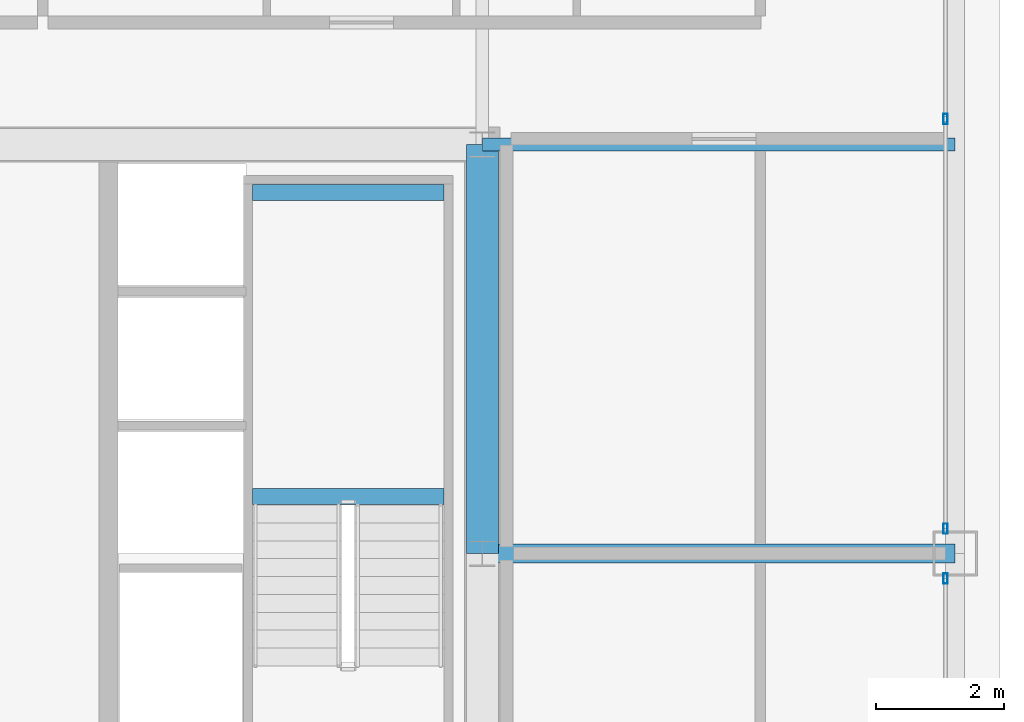
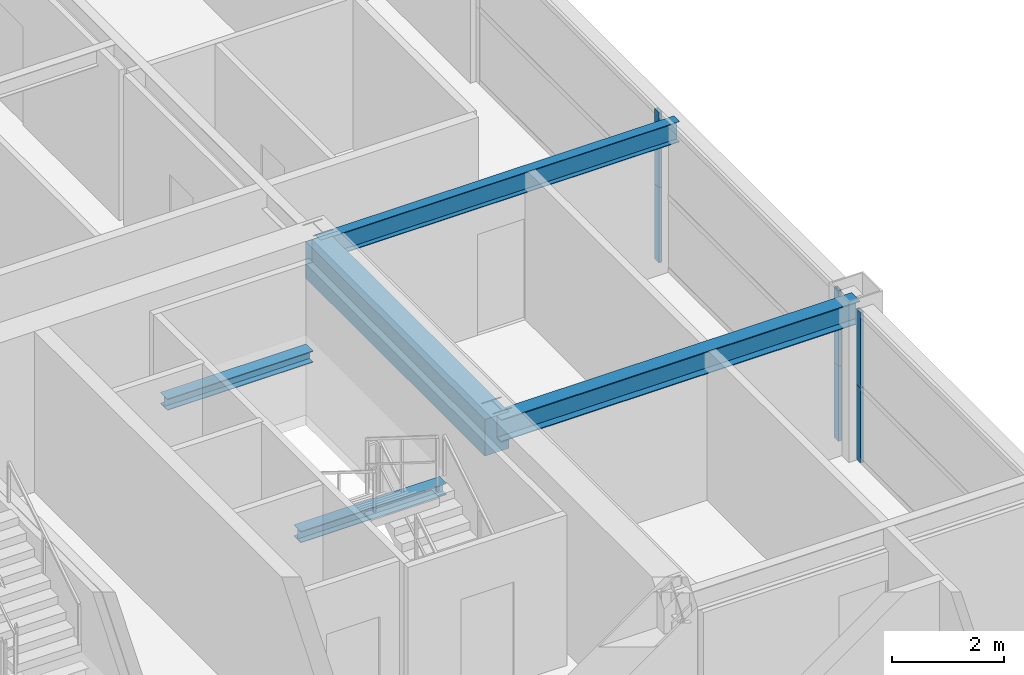
# One storey, part 20 of 37: 6 members, 5 beams, 2 elements without a shape of their own.
"""IFC4 building model written with IfcOpenShell, lengths in metres."""

from ifc_helpers import new_model, si_unit, direction, frame, origin, origin_2d, place, context, subcontext, project, spatial, rectangle, hollow_rectangle, i_section, extrude, source, transform, mapped, material, layer, layer_set, material_profile, profile_set, type_object, element, aggregate, save


model = new_model("IFC4")

# Units and contexts
model_context = context("Model", 3, precision=1e-05, world=origin(), true_north=direction((0.0, 1.0)))
body_context = subcontext(model_context, "Body", "Model", "MODEL_VIEW")
ifc_project = project(units=[si_unit("LENGTHUNIT", "METRE"), si_unit("AREAUNIT", "SQUARE_METRE"), si_unit("VOLUMEUNIT", "CUBIC_METRE"), si_unit("PLANEANGLEUNIT", "RADIAN"), si_unit("MASSUNIT", "GRAM", prefix="KILO"), si_unit("THERMODYNAMICTEMPERATUREUNIT", "KELVIN"), si_unit("POWERUNIT", "WATT")], contexts=[model_context])

# Site, building, storey
site_placement = place(None, origin())
site = spatial("IfcSite", under=ifc_project, at=site_placement, CompositionType="ELEMENT")
building_placement = place(site_placement, origin())
building = spatial("IfcBuilding", under=site, at=building_placement, Name="Yuzanri Waterfront Tower", CompositionType="ELEMENT")
storey_placement = place(building_placement, frame((0.0, 0.0, 245.10009765625)))
storey = spatial("IfcBuildingStorey", under=building, at=storey_placement, Name="L65", CompositionType="ELEMENT", Elevation=245.10009765625)

# Beams
ifc_material_1 = material(Name="Concrete C50", Category="concrete")
ifc_material_profile_1 = material_profile(ifc_material_1, rectangle(XDim=0.5, YDim=0.800048828125, at=origin_2d()), Name="RC 500x800")
ifc_profile_set_1 = profile_set([ifc_material_profile_1], Name="Concrete C50")
beam_type_1 = type_object("IfcBeamType", Name="Core Coupling Lintel Concrete C50 500x800", PredefinedType="LINTEL", material=ifc_profile_set_1)
shared_shape_1 = source(origin(), body_context, "Body", "SweptSolid", [
    extrude(rectangle(XDim=0.5, YDim=0.800048828125, at=origin_2d()), origin(), (0.0, 0.0, 1.0), 6.39990234375),
])
beam_1_placement = place(storey_placement, frame((50.199951171875, 25.800048828125, 2.8798828125), z_axis=(0.0, 1.0, 0.0), x_axis=(-1.0, 0.0, 0.0)))
element("IfcBeam", 1, at=beam_1_placement, inside=storey, type_object=beam_type_1, Name="L65 Core Tie Beam CE2", PredefinedType="LINTEL", context=body_context, shape_type="MappedRepresentation", body=[
    mapped(shared_shape_1, transform((0.0, 0.0, 0.0), scale=1.0)),
])
ifc_material_2 = material(Name="Steel Q355B", Category="steel")
ifc_material_profile_2 = material_profile(ifc_material_2, i_section(OverallWidth=0.300048828125, OverallDepth=0.488037109375, WebThickness=0.010986328125, FlangeThickness=0.01806640625, at=origin_2d()), Name="HM 488x300x11x18")
ifc_profile_set_2 = profile_set([ifc_material_profile_2], Name="Steel Q355B")
beam_type_2 = type_object("IfcBeamType", Name="Primary Floor Girder Q355B HM 488x300", PredefinedType="BEAM", material=ifc_profile_set_2)
shared_shape_2 = source(origin(), body_context, "Body", "SweptSolid", [
    extrude(i_section(OverallWidth=0.300048828125, OverallDepth=0.488037109375, WebThickness=0.010986328125, FlangeThickness=0.01806640625, at=origin_2d()), origin(), (0.0, 0.0, 1.0), 7.400146484375),
])
beam_2_placement = place(storey_placement, frame((50.199951171875, 25.800048828125, 3.035888671875), z_axis=(1.0, 0.0, 0.0), x_axis=(0.0, 1.0, 0.0)))
element("IfcBeam", 2, at=beam_2_placement, inside=storey, type_object=beam_type_2, Name="L65 East Grid Girder", PredefinedType="BEAM", context=body_context, shape_type="MappedRepresentation", body=[
    mapped(shared_shape_2, transform((0.0, 0.0, 0.0), scale=1.0)),
])
ifc_material_3 = material(Name="Steel Q355B", Category="steel")
ifc_material_profile_3 = material_profile(ifc_material_3, i_section(OverallWidth=0.199951171875, OverallDepth=0.449951171875, WebThickness=0.009033203125, FlangeThickness=0.013916015625, at=origin_2d()), Name="HN 450x200x9x14")
ifc_profile_set_3 = profile_set([ifc_material_profile_3], Name="Steel Q355B")
beam_type_3 = type_object("IfcBeamType", Name="Secondary Floor Beam Q355B HN 450x200", PredefinedType="BEAM", material=ifc_profile_set_3)
shared_shape_3 = source(origin(), body_context, "Body", "SweptSolid", [
    extrude(i_section(OverallWidth=0.199951171875, OverallDepth=0.449951171875, WebThickness=0.009033203125, FlangeThickness=0.013916015625, at=origin_2d()), origin(), (0.0, 0.0, 1.0), 7.400146484375),
])
beam_3_placement = place(storey_placement, frame((50.199951171875, 32.199951171875, 3.054931640625), z_axis=(1.0, 0.0, 0.0), x_axis=(0.0, 1.0, 0.0)))
element("IfcBeam", 3, at=beam_3_placement, inside=storey, type_object=beam_type_3, Name="L65 East-North Core Line Beam", PredefinedType="BEAM", context=body_context, shape_type="MappedRepresentation", body=[
    mapped(shared_shape_3, transform((0.0, 0.0, 0.0), scale=1.0)),
])

# Curtain wall, members
ifc_material_4 = material(Name="Anodized Architectural Bronze", Category="metal")
ifc_layer = layer(ifc_material_4, 0.159912109375)
ifc_layer_set = layer_set([ifc_layer], Name="Anodized Architectural Bronze")
curtain_wall_type = type_object("IfcCurtainWallType", Name="Anodized Bronze Mid-Rise Residential Acoustic Unitized Curtain Wall 7200", PredefinedType="NOTDEFINED", material=ifc_layer_set)
curtain_wall_1_placement = place(storey_placement, origin())
curtain_wall_1 = element("IfcCurtainWall", 4, at=curtain_wall_1_placement, inside=storey, type_object=curtain_wall_type, Name="L65 Curtain Wall CW-L65-EL", PredefinedType="NOTDEFINED")
ifc_material_5 = material(Name="Anodized Architectural Bronze", Category="metal")
ifc_material_profile_4 = material_profile(ifc_material_5, hollow_rectangle(XDim=0.06494140625, YDim=0.159912109375, WallThickness=0.00341796875, at=origin_2d()), Name="CWM 65x160")
ifc_profile_set_4 = profile_set([ifc_material_profile_4], Name="Anodized Architectural Bronze")
member_type = type_object("IfcMemberType", Name="Anodized Bronze Upper-Zone Curtain-Wall Mullion 65x160", PredefinedType="MULLION", material=ifc_profile_set_4)
shared_shape_4 = source(origin(), body_context, "Body", "SweptSolid", [
    extrude(hollow_rectangle(XDim=0.06494140625, YDim=0.159912109375, WallThickness=0.00341796875, at=origin_2d()), origin(), (0.0, 0.0, 1.0), 1.637939453125),
])
member_1_placement = place(storey_placement, frame((57.449951171875, 25.409912109375, 0.0), z_axis=(0.0, 0.0, 1.0), x_axis=(1.0, 0.0, 0.0)))
member_1 = element("IfcMember", 5, at=member_1_placement, type_object=member_type, Name="CW-L65-EL Lower Mullion 02", PredefinedType="MULLION", context=body_context, shape_type="MappedRepresentation", body=[
    mapped(shared_shape_4, transform((0.0, 0.0, 0.0), scale=1.0)),
])
member_2_placement = place(storey_placement, frame((57.449951171875, 25.409912109375, 1.641845703125), z_axis=(0.0, 0.0, 1.0), x_axis=(1.0, 0.0, 0.0)))
member_2 = element("IfcMember", 6, at=member_2_placement, type_object=member_type, Name="CW-L65-EL Upper Mullion 02", PredefinedType="MULLION", context=body_context, shape_type="MappedRepresentation", body=[
    mapped(shared_shape_4, transform((0.0, 0.0, 0.0), scale=1.0)),
])
aggregate(curtain_wall_1, [member_1, member_2])

curtain_wall_2_placement = place(storey_placement, origin())
curtain_wall_2 = element("IfcCurtainWall", 7, at=curtain_wall_2_placement, inside=storey, type_object=curtain_wall_type, Name="L65 Curtain Wall CW-L65-ER", PredefinedType="NOTDEFINED")
member_3_placement = place(storey_placement, frame((57.449951171875, 26.18994140625, 0.0), z_axis=(0.0, 0.0, 1.0), x_axis=(1.0, 0.0, 0.0)))
member_3 = element("IfcMember", 8, at=member_3_placement, type_object=member_type, Name="CW-L65-ER Lower Mullion 00", PredefinedType="MULLION", context=body_context, shape_type="MappedRepresentation", body=[
    mapped(shared_shape_4, transform((0.0, 0.0, 0.0), scale=1.0)),
])
member_4_placement = place(storey_placement, frame((57.449951171875, 26.18994140625, 1.641845703125), z_axis=(0.0, 0.0, 1.0), x_axis=(1.0, 0.0, 0.0)))
member_4 = element("IfcMember", 9, at=member_4_placement, type_object=member_type, Name="CW-L65-ER Upper Mullion 00", PredefinedType="MULLION", context=body_context, shape_type="MappedRepresentation", body=[
    mapped(shared_shape_4, transform((0.0, 0.0, 0.0), scale=1.0)),
])
member_5_placement = place(storey_placement, frame((57.449951171875, 32.60009765625, 0.0), z_axis=(0.0, 0.0, 1.0), x_axis=(1.0, 0.0, 0.0)))
member_5 = element("IfcMember", 10, at=member_5_placement, type_object=member_type, Name="CW-L65-ER Lower Mullion 01", PredefinedType="MULLION", context=body_context, shape_type="MappedRepresentation", body=[
    mapped(shared_shape_4, transform((0.0, 0.0, 0.0), scale=1.0)),
])
member_6_placement = place(storey_placement, frame((57.449951171875, 32.60009765625, 1.641845703125), z_axis=(0.0, 0.0, 1.0), x_axis=(1.0, 0.0, 0.0)))
member_6 = element("IfcMember", 11, at=member_6_placement, type_object=member_type, Name="CW-L65-ER Upper Mullion 01", PredefinedType="MULLION", context=body_context, shape_type="MappedRepresentation", body=[
    mapped(shared_shape_4, transform((0.0, 0.0, 0.0), scale=1.0)),
])
aggregate(curtain_wall_2, [member_3, member_4, member_5, member_6])

# Beams
ifc_material_6 = material(Name="Steel Q355B", Category="steel")
ifc_material_profile_5 = material_profile(ifc_material_6, i_section(OverallWidth=0.25, OverallDepth=0.25, WebThickness=0.009033203125, FlangeThickness=0.013916015625, at=origin_2d()), Name="HW 250x250x9x14")
ifc_profile_set_5 = profile_set([ifc_material_profile_5], Name="Steel Q355B")
beam_type_4 = type_object("IfcBeamType", Name="Stair Landing Support Beam Q355B HW 250x250", PredefinedType="BEAM", material=ifc_profile_set_5)
shared_shape_5 = source(origin(), body_context, "Body", "SweptSolid", [
    extrude(i_section(OverallWidth=0.25, OverallDepth=0.25, WebThickness=0.009033203125, FlangeThickness=0.013916015625, at=origin_2d()), origin(), (0.0, 0.0, 1.0), 3.0),
])
for number, where, z_axis, x_axis, name in (
    (12, (46.60009765625, 26.68994140625, 1.4248046875), (1.0, 0.0, 0.0), (0.0, 1.0, 0.0), "L65 Stair Landing Support Beam ST-02-L65-L1-1"),
    (13, (46.60009765625, 31.449951171875, 1.4248046875), (1.0, 0.0, 0.0), (0.0, 1.0, 0.0), "L65 Stair Landing Support Beam ST-02-L65-L1-2"),
):
    element("IfcBeam", number, at=place(storey_placement, frame(where, z_axis=z_axis, x_axis=x_axis)), inside=storey, type_object=beam_type_4, Name=name, PredefinedType="BEAM", context=body_context, shape_type="MappedRepresentation", body=[
        mapped(shared_shape_5, transform((0.0, 0.0, 0.0), scale=1.0)),
    ])

save(model, "model.ifc")
